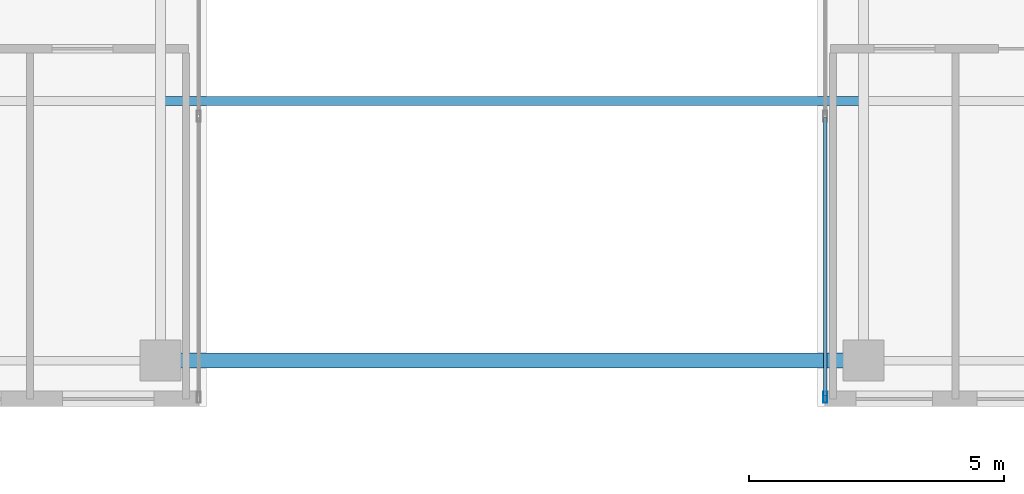
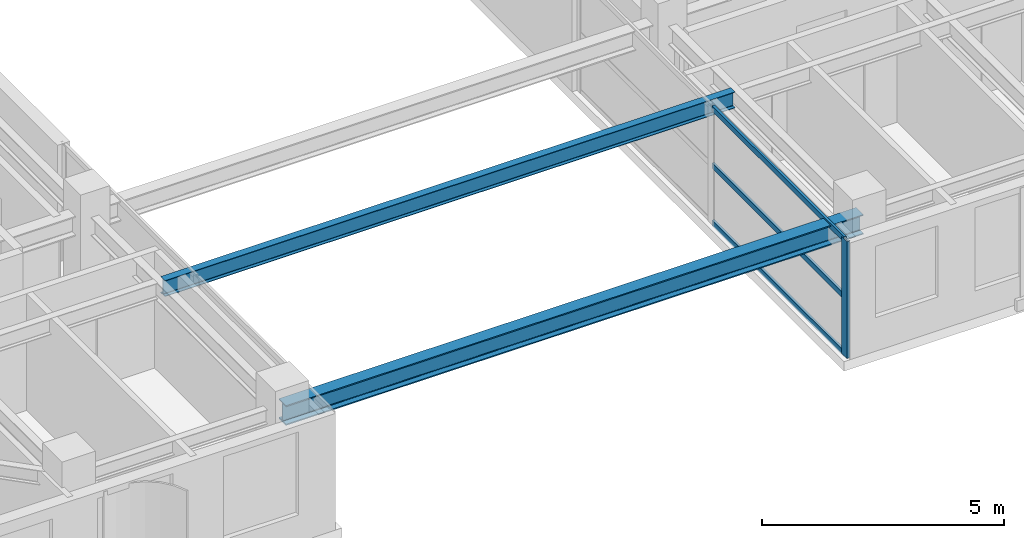
# One storey, part 4 of 25: 4 members, 2 beams, 1 element without a shape of its own.
"""IFC4 building model written with IfcOpenShell, lengths in metres."""

from ifc_helpers import new_model, si_unit, direction, frame, origin, origin_2d, place, context, subcontext, project, spatial, hollow_rectangle, i_section, extrude, source, transform, mapped, material, layer, layer_set, material_profile, profile_set, type_object, element, aggregate, save


model = new_model("IFC4")

# Units and contexts
model_context = context("Model", 3, precision=1e-05, world=origin(), true_north=direction((0.0, 1.0)))
body_context = subcontext(model_context, "Body", "Model", "MODEL_VIEW")
ifc_project = project(units=[si_unit("LENGTHUNIT", "METRE"), si_unit("AREAUNIT", "SQUARE_METRE"), si_unit("VOLUMEUNIT", "CUBIC_METRE"), si_unit("PLANEANGLEUNIT", "RADIAN"), si_unit("MASSUNIT", "GRAM", prefix="KILO")], contexts=[model_context])

# Site, building, storey
site_placement = place(None, origin())
site = spatial("IfcSite", under=ifc_project, at=site_placement, CompositionType="ELEMENT")
building_placement = place(site_placement, origin())
building = spatial("IfcBuilding", under=site, at=building_placement, Name="Khoralis Quay Care Tower", CompositionType="ELEMENT")
storey_placement = place(building_placement, frame((0.0, 0.0, 263.699951171875)))
storey = spatial("IfcBuildingStorey", under=building, at=storey_placement, Name="L69", CompositionType="ELEMENT", Elevation=263.699951171875)

# Beams
ifc_material_1 = material(Name="Steel S355", Category="steel")
ifc_material_profile_1 = material_profile(ifc_material_1, i_section(OverallWidth=0.300048828125, OverallDepth=0.5, WebThickness=0.014404296875, FlangeThickness=0.028076171875, FilletRadius=0.027099609375, at=origin_2d()), Name="Steel S355")
ifc_profile_set_1 = profile_set([ifc_material_profile_1], Name="Steel S355")
beam_type_1 = type_object("IfcBeamType", Name="BM-HEB500", PredefinedType="BEAM", material=ifc_profile_set_1)
shared_shape_1 = source(origin(), body_context, "Body", "SweptSolid", [
    extrude(i_section(OverallWidth=0.300048828125, OverallDepth=0.5, WebThickness=0.014404296875, FlangeThickness=0.028076171875, FilletRadius=0.027099609375, at=origin_2d()), origin(), (0.0, 0.0, 1.0), 13.7998046875),
])
beam_1_placement = place(storey_placement, frame((17.10009765625, 3.89990234375, 2.699951171875), z_axis=(1.0, 0.0, 0.0), x_axis=(0.0, 1.0, 0.0)))
element("IfcBeam", 1, at=beam_1_placement, inside=storey, type_object=beam_type_1, Name="BM-TSP-L69-02", PredefinedType="BEAM", context=body_context, shape_type="MappedRepresentation", body=[
    mapped(shared_shape_1, transform((0.0, 0.0, 0.0), scale=1.0)),
])
ifc_material_profile_2 = material_profile(ifc_material_1, i_section(OverallWidth=0.177978515625, OverallDepth=0.406982421875, WebThickness=0.0078125, FlangeThickness=0.0126953125, FilletRadius=0.012939453125, at=origin_2d()), Name="Steel S355")
ifc_profile_set_2 = profile_set([ifc_material_profile_2], Name="Steel S355")
beam_type_2 = type_object("IfcBeamType", Name="BM-W410X60", PredefinedType="JOIST", material=ifc_profile_set_2)
shared_shape_2 = source(origin(), body_context, "Body", "SweptSolid", [
    extrude(i_section(OverallWidth=0.177978515625, OverallDepth=0.406982421875, WebThickness=0.0078125, FlangeThickness=0.0126953125, FilletRadius=0.012939453125, at=origin_2d()), origin(), (0.0, 0.0, 1.0), 13.6318359375),
])
beam_2_placement = place(storey_placement, frame((17.18408203125, 9.0, 2.74658203125), z_axis=(1.0, 0.0, 0.0), x_axis=(0.0, 1.0, 0.0)))
element("IfcBeam", 2, at=beam_2_placement, inside=storey, type_object=beam_type_2, Name="BM-TJS-L69-21", PredefinedType="JOIST", context=body_context, shape_type="MappedRepresentation", body=[
    mapped(shared_shape_2, transform((0.0, 0.0, 0.0), scale=1.0)),
])

# Curtain wall, members
ifc_material_2 = material(Name="Pale anodised aluminium", Category="aluminium")
ifc_layer = layer(ifc_material_2, 0.18994140625)
ifc_layer_set = layer_set([ifc_layer], Name="Pale anodised aluminium")
curtain_wall_type = type_object("IfcCurtainWallType", Name="CW-SYS-PORTAL", PredefinedType="NOTDEFINED", material=ifc_layer_set)
curtain_wall_placement = place(storey_placement, origin())
curtain_wall = element("IfcCurtainWall", 3, at=curtain_wall_placement, inside=storey, type_object=curtain_wall_type, Name="L69 Unitised Curtain Wall CW-VP-L69-P2-S", PredefinedType="NOTDEFINED")
ifc_material_profile_3 = material_profile(ifc_material_2, hollow_rectangle(XDim=0.074951171875, YDim=0.219970703125, WallThickness=0.00390625, at=origin_2d()), Name="Pale anodised aluminium")
ifc_profile_set_3 = profile_set([ifc_material_profile_3], Name="Pale anodised aluminium")
member_type_1 = type_object("IfcMemberType", Name="CW-MUL-220", PredefinedType="MULLION", material=ifc_profile_set_3)
shared_shape_3 = source(origin(), body_context, "Body", "SweptSolid", [
    extrude(hollow_rectangle(XDim=0.074951171875, YDim=0.219970703125, WallThickness=0.00390625, at=origin_2d()), origin(), (0.0, 0.0, 1.0), 2.949951171875),
])
member_1_placement = place(storey_placement, frame((30.14990234375, 3.179931640625, 0.0), z_axis=(0.0, 0.0, 1.0), x_axis=(-1.0, 0.0, 0.0)))
member_1 = element("IfcMember", 4, at=member_1_placement, type_object=member_type_1, Name="CW4 mullion 1", PredefinedType="MULLION", context=body_context, shape_type="MappedRepresentation", body=[
    mapped(shared_shape_3, transform((0.0, 0.0, 0.0), scale=1.0)),
])
ifc_material_profile_4 = material_profile(ifc_material_2, hollow_rectangle(XDim=0.06005859375, YDim=0.139892578125, WallThickness=0.00390625, at=origin_2d()), Name="Pale anodised aluminium")
ifc_profile_set_4 = profile_set([ifc_material_profile_4], Name="Pale anodised aluminium")
member_type_2 = type_object("IfcMemberType", Name="CW-TRN-140", PredefinedType="USERDEFINED", material=ifc_profile_set_4)
shared_shape_4 = source(origin(), body_context, "Body", "SweptSolid", [
    extrude(hollow_rectangle(XDim=0.06005859375, YDim=0.139892578125, WallThickness=0.00390625, at=origin_2d()), origin(), (0.0, 0.0, 1.0), 5.4599609375),
])
member_2_placement = place(storey_placement, frame((30.14990234375, 3.2099609375, 0.030029296875), z_axis=(0.0, 1.0, 0.0), x_axis=(-1.0, 0.0, 0.0)))
member_2 = element("IfcMember", 5, at=member_2_placement, type_object=member_type_2, Name="CW4 transom 1.1", ObjectType="TRANSOM", PredefinedType="USERDEFINED", context=body_context, shape_type="MappedRepresentation", body=[
    mapped(shared_shape_4, transform((0.0, 0.0, 0.0), scale=1.0)),
])
member_3_placement = place(storey_placement, frame((30.14990234375, 3.2099609375, 1.47509765625), z_axis=(0.0, 1.0, 0.0), x_axis=(-1.0, 0.0, 0.0)))
member_3 = element("IfcMember", 6, at=member_3_placement, type_object=member_type_2, Name="CW4 transom 1.2", ObjectType="TRANSOM", PredefinedType="USERDEFINED", context=body_context, shape_type="MappedRepresentation", body=[
    mapped(shared_shape_4, transform((0.0, 0.0, 0.0), scale=1.0)),
])
member_4_placement = place(storey_placement, frame((30.14990234375, 3.2099609375, 2.920166015625), z_axis=(0.0, 1.0, 0.0), x_axis=(-1.0, 0.0, 0.0)))
member_4 = element("IfcMember", 7, at=member_4_placement, type_object=member_type_2, Name="CW4 transom 1.3", ObjectType="TRANSOM", PredefinedType="USERDEFINED", context=body_context, shape_type="MappedRepresentation", body=[
    mapped(shared_shape_4, transform((0.0, 0.0, 0.0), scale=1.0)),
])
aggregate(curtain_wall, [member_1, member_2, member_3, member_4])

save(model, "model.ifc")
